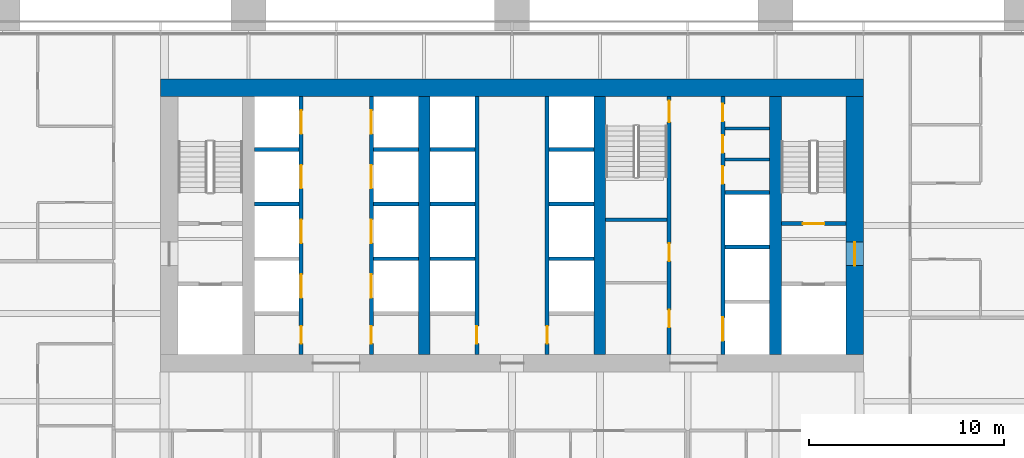
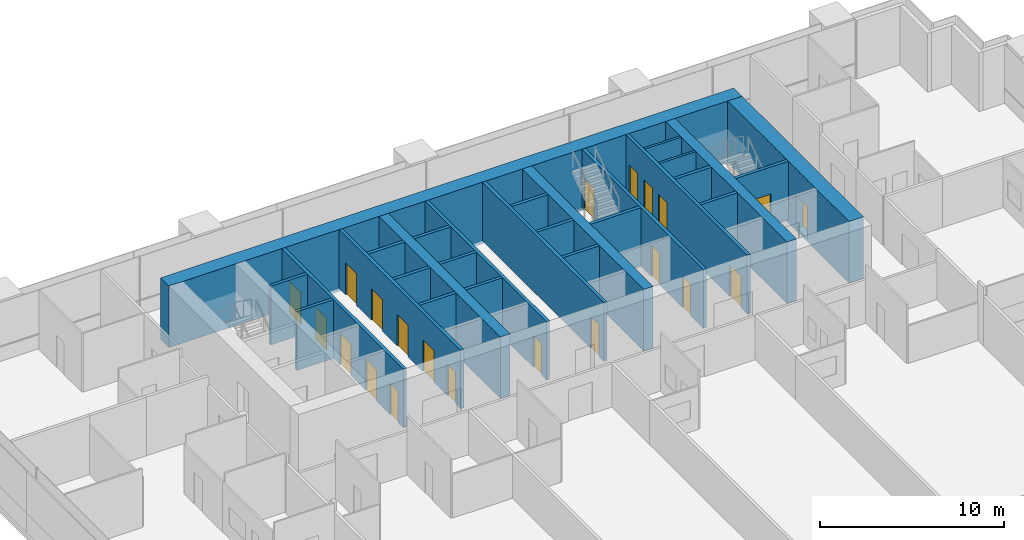
# One storey, part 14 of 20: 28 walls, 21 doors, 21 openings.
"""IFC4 building model written with IfcOpenShell, lengths in metres."""

from ifc_helpers import new_model, si_unit, direction, frame, frame_2d, origin, place, context, subcontext, project, spatial, rectangle, extrude, material, layer, layer_set, type_object, element, fill, save


model = new_model("IFC4")

# Units and contexts
model_context = context("Model", 3, precision=1e-05, world=origin(), true_north=direction((0.0, 1.0)))
body_context = subcontext(model_context, "Body", "Model", "MODEL_VIEW")
ifc_project = project(units=[si_unit("LENGTHUNIT", "METRE"), si_unit("AREAUNIT", "SQUARE_METRE"), si_unit("VOLUMEUNIT", "CUBIC_METRE"), si_unit("PLANEANGLEUNIT", "RADIAN"), si_unit("MASSUNIT", "GRAM", prefix="KILO")], contexts=[model_context])

# Site, building, storey
site_placement = place(None, origin())
site = spatial("IfcSite", under=ifc_project, at=site_placement, CompositionType="ELEMENT")
building_placement = place(site_placement, origin())
building = spatial("IfcBuilding", under=site, at=building_placement, Name="Rattan Terrace Tower", CompositionType="ELEMENT")
storey_placement = place(building_placement, frame((0.0, 0.0, 40.60009765625)))
storey = spatial("IfcBuildingStorey", under=building, at=storey_placement, Name="L08", CompositionType="ELEMENT", Elevation=40.60009765625)

# Walls
ifc_material_1 = material(Name="Gypsum board partition")
ifc_layer_1 = layer(ifc_material_1, 0.14990234375)
ifc_layer_set_1 = layer_set([ifc_layer_1], Name="Core partition 150")
wall_type_1 = type_object("IfcWallType", Name="Core partition 150", PredefinedType="PARTITIONING", material=ifc_layer_set_1)
for number, where, z_axis, x_axis, name in (
    (1, (10.89990234375, 3.384033203125, 0.0), (0.0, 0.0, 1.0), (1.0, 0.0, 0.0), "Riser room wall"),
    (2, (10.89990234375, 4.968017578125, 0.0), (0.0, 0.0, 1.0), (1.0, 0.0, 0.0), "Riser room wall"),
):
    element("IfcWall", number, at=place(storey_placement, frame(where, z_axis=z_axis, x_axis=x_axis)), inside=storey, type_object=wall_type_1, Name=name, PredefinedType="PARTITIONING", context=body_context, shape_type="SweptSolid", body=[
        extrude(rectangle(XDim=2.300048828125, YDim=0.14990234375, at=frame_2d((1.14990234375, 0.0))), origin(), (0.0, 0.0, 1.0), 3.89990234375),
    ])

# Wall, opening, door
ifc_material_2 = material(Name="Gypsum board partition")
ifc_layer_2 = layer(ifc_material_2, 0.199951171875)
ifc_layer_set_2 = layer_set([ifc_layer_2], Name="Core partition 200")
wall_type_2 = type_object("IfcWallType", Name="Core partition 200", PredefinedType="PARTITIONING", material=ifc_layer_set_2)
wall_1_placement = place(storey_placement, frame((13.800048828125, 0.10009765625, 0.0), z_axis=(0.0, 0.0, 1.0), x_axis=(1.0, 0.0, 0.0)))
wall_1 = element("IfcWall", 3, at=wall_1_placement, inside=storey, type_object=wall_type_2, Name="Stair enclosure wall", PredefinedType="PARTITIONING", context=body_context, shape_type="SweptSolid", body=[
    extrude(rectangle(XDim=3.300048828125, YDim=0.199951171875, at=frame_2d((1.64990234375, 0.0))), origin(), (0.0, 0.0, 1.0), 3.89990234375),
])
opening_1_placement = place(wall_1_placement, frame((1.10009765625, 0.0, 0.0)))
opening_1 = element("IfcOpeningElement", 4, at=opening_1_placement, cuts=wall_1, Name="Opening L08-D004", PredefinedType="OPENING", context=body_context, shape_type="SweptSolid", body=[
    extrude(rectangle(XDim=1.10009765625, YDim=2.10009765625, at=frame_2d((0.550048828125, 1.050048828125))), frame((0.0, 0.110595703125, 0.0), z_axis=(0.0, -1.0, 0.0), x_axis=(1.0, 0.0, 0.0)), (0.0, 0.0, 1.0), 0.220947265625),
])
ifc_material_3 = material(Name="Hollow-metal fire door leaf")
door_type_1 = type_object("IfcDoorType", Name="Core stair door 1100", OperationType="NOTDEFINED", PredefinedType="DOOR", material=ifc_material_3)
door_1_placement = place(opening_1_placement, origin())
door_1 = element("IfcDoor", 5, at=door_1_placement, inside=storey, type_object=door_type_1, Name="Door L08-D004", OperationType="SINGLE_SWING_LEFT", OverallHeight=2.10009765625, OverallWidth=1.10009765625, PredefinedType="DOOR", context=body_context, shape_type="SweptSolid", body=[
    extrude(rectangle(XDim=1.10009765625, YDim=2.10009765625, at=frame_2d((0.550048828125, 1.050048828125))), frame((0.0, 0.02490234375, 0.0), z_axis=(0.0, -1.0, 0.0), x_axis=(1.0, 0.0, 0.0)), (0.0, 0.0, 1.0), 0.050048828125),
])
fill(opening_1, door_1)

# Wall, openings, doors
wall_2_placement = place(storey_placement, frame((8.050048828125, -6.60009765625, 0.0), z_axis=(0.0, 0.0, 1.0), x_axis=(0.0, 1.0, 0.0)))
wall_2 = element("IfcWall", 6, at=wall_2_placement, inside=storey, type_object=wall_type_2, Name="Lobby wall west", PredefinedType="PARTITIONING", context=body_context, shape_type="SweptSolid", body=[
    extrude(rectangle(XDim=13.2001953125, YDim=0.199951171875, at=frame_2d((6.60009765625, 0.0))), origin(), (0.0, 0.0, 1.0), 3.89990234375),
])
opening_2_placement = place(wall_2_placement, frame((1.385986328125, 0.0, 0.0)))
opening_2 = element("IfcOpeningElement", 7, at=opening_2_placement, cuts=wall_2, Name="Opening L08-D011", PredefinedType="OPENING", context=body_context, shape_type="SweptSolid", body=[
    extrude(rectangle(XDim=0.89990234375, YDim=2.10009765625, at=frame_2d((0.449951171875, 1.050048828125))), frame((0.0, 0.110595703125, 0.0), z_axis=(0.0, -1.0, 0.0), x_axis=(1.0, 0.0, 0.0)), (0.0, 0.0, 1.0), 0.220947265625),
])
opening_3_placement = place(wall_2_placement, frame((4.785888671875, 0.0, 0.0)))
opening_3 = element("IfcOpeningElement", 8, at=opening_3_placement, cuts=wall_2, Name="Opening L08-D012", PredefinedType="OPENING", context=body_context, shape_type="SweptSolid", body=[
    extrude(rectangle(XDim=0.89990234375, YDim=2.10009765625, at=frame_2d((0.449951171875, 1.050048828125))), frame((0.0, 0.110595703125, 0.0), z_axis=(0.0, -1.0, 0.0), x_axis=(1.0, 0.0, 0.0)), (0.0, 0.0, 1.0), 0.220947265625),
])
opening_4_placement = place(wall_2_placement, frame((11.89990234375, 0.0, 0.0)))
opening_4 = element("IfcOpeningElement", 9, at=opening_4_placement, cuts=wall_2, Name="Opening L08-D013", PredefinedType="OPENING", context=body_context, shape_type="SweptSolid", body=[
    extrude(rectangle(XDim=1.10009765625, YDim=2.10009765625, at=frame_2d((0.550048828125, 1.050048828125))), frame((0.0, 0.110595703125, 0.0), z_axis=(0.0, -1.0, 0.0), x_axis=(1.0, 0.0, 0.0)), (0.0, 0.0, 1.0), 0.220947265625),
])
door_2_placement = place(opening_4_placement, origin())
door_2 = element("IfcDoor", 10, at=door_2_placement, inside=storey, type_object=door_type_1, Name="Door L08-D013", OperationType="SINGLE_SWING_LEFT", OverallHeight=2.10009765625, OverallWidth=1.10009765625, PredefinedType="DOOR", context=body_context, shape_type="SweptSolid", body=[
    extrude(rectangle(XDim=1.10009765625, YDim=2.10009765625, at=frame_2d((0.550048828125, 1.050048828125))), frame((0.0, 0.02490234375, 0.0), z_axis=(0.0, -1.0, 0.0), x_axis=(1.0, 0.0, 0.0)), (0.0, 0.0, 1.0), 0.050048828125),
])
fill(opening_4, door_2)
ifc_material_4 = material(Name="Hollow-metal fire door leaf")
door_type_2 = type_object("IfcDoorType", Name="Core toilet door 900", OperationType="NOTDEFINED", PredefinedType="DOOR", material=ifc_material_4)
door_3_placement = place(opening_2_placement, origin())
door_3 = element("IfcDoor", 11, at=door_3_placement, inside=storey, type_object=door_type_2, Name="Door L08-D011", OperationType="SINGLE_SWING_LEFT", OverallHeight=2.10009765625, OverallWidth=0.89990234375, PredefinedType="DOOR", context=body_context, shape_type="SweptSolid", body=[
    extrude(rectangle(XDim=0.89990234375, YDim=2.10009765625, at=frame_2d((0.449951171875, 1.050048828125))), frame((0.0, 0.02490234375, 0.0), z_axis=(0.0, -1.0, 0.0), x_axis=(1.0, 0.0, 0.0)), (0.0, 0.0, 1.0), 0.050048828125),
])
fill(opening_2, door_3)
door_4_placement = place(opening_3_placement, origin())
door_4 = element("IfcDoor", 12, at=door_4_placement, inside=storey, type_object=door_type_2, Name="Door L08-D012", OperationType="SINGLE_SWING_RIGHT", OverallHeight=2.10009765625, OverallWidth=0.89990234375, PredefinedType="DOOR", context=body_context, shape_type="SweptSolid", body=[
    extrude(rectangle(XDim=0.89990234375, YDim=2.10009765625, at=frame_2d((0.449951171875, 1.050048828125))), frame((0.0, 0.02490234375, 0.0), z_axis=(0.0, -1.0, 0.0), x_axis=(1.0, 0.0, 0.0)), (0.0, 0.0, 1.0), 0.050048828125),
])
fill(opening_3, door_4)

# Walls
wall_3_placement = place(storey_placement, frame((4.800048828125, 0.300048828125, 0.0), z_axis=(0.0, 0.0, 1.0), x_axis=(1.0, 0.0, 0.0)))
element("IfcWall", 13, at=wall_3_placement, inside=storey, type_object=wall_type_2, Name="Stair enclosure wall", PredefinedType="PARTITIONING", context=body_context, shape_type="SweptSolid", body=[
    extrude(rectangle(XDim=3.14990234375, YDim=0.199951171875, at=frame_2d((1.574951171875, 0.0))), origin(), (0.0, 0.0, 1.0), 3.89990234375),
])
ifc_material_5 = material(Name="Concrete C70/85", Category="concrete")
ifc_layer_3 = layer(ifc_material_5, 0.89990234375)
ifc_layer_set_3 = layer_set([ifc_layer_3], Name="Core ring wall 900 C70/85")
wall_type_3 = type_object("IfcWallType", Name="Core ring wall 900 C70/85", PredefinedType="SHEAR", material=ifc_layer_set_3)
wall_4_placement = place(storey_placement, frame((-18.0, 7.050048828125, -0.2001953125), z_axis=(0.0, 0.0, 1.0), x_axis=(1.0, 0.0, 0.0)))
element("IfcWall", 14, at=wall_4_placement, inside=storey, type_object=wall_type_3, Name="Rear core wall north", PredefinedType="SHEAR", context=body_context, shape_type="SweptSolid", body=[
    extrude(rectangle(XDim=36.0, YDim=0.89990234375, at=frame_2d((18.0, 0.0))), origin(), (0.0, 0.0, 1.0), 4.10009765625),
])

# Wall, opening, door
wall_5_placement = place(storey_placement, frame((17.550048828125, -6.60009765625, -0.2001953125), z_axis=(0.0, 0.0, 1.0), x_axis=(0.0, 1.0, 0.0)))
wall_5 = element("IfcWall", 15, at=wall_5_placement, inside=storey, type_object=wall_type_3, Name="Rear core wall east", PredefinedType="SHEAR", context=body_context, shape_type="SweptSolid", body=[
    extrude(rectangle(XDim=13.2001953125, YDim=0.89990234375, at=frame_2d((6.60009765625, 0.0))), origin(), (0.0, 0.0, 1.0), 4.10009765625),
])
opening_5_placement = place(wall_5_placement, frame((4.550048828125, 0.0, 0.199951171875)))
opening_5 = element("IfcOpeningElement", 16, at=opening_5_placement, cuts=wall_5, Name="Opening L08-D003", PredefinedType="OPENING", context=body_context, shape_type="SweptSolid", body=[
    extrude(rectangle(XDim=1.199951171875, YDim=2.10009765625, at=frame_2d((0.60009765625, 1.050048828125))), frame((0.0, 0.46044921875, 0.0), z_axis=(0.0, -1.0, 0.0), x_axis=(1.0, 0.0, 0.0)), (0.0, 0.0, 1.0), 0.9208984375),
])
ifc_material_6 = material(Name="Hollow-metal fire door leaf")
door_type_3 = type_object("IfcDoorType", Name="Core fire-fighting lobby door 1200", OperationType="NOTDEFINED", PredefinedType="DOOR", material=ifc_material_6)
door_5_placement = place(opening_5_placement, origin())
door_5 = element("IfcDoor", 17, at=door_5_placement, inside=storey, type_object=door_type_3, Name="Door L08-D003", OperationType="SINGLE_SWING_RIGHT", OverallHeight=2.10009765625, OverallWidth=1.199951171875, PredefinedType="DOOR", context=body_context, shape_type="SweptSolid", body=[
    extrude(rectangle(XDim=1.199951171875, YDim=2.10009765625, at=frame_2d((0.60009765625, 1.050048828125))), frame((0.0, 0.02490234375, 0.0), z_axis=(0.0, -1.0, 0.0), x_axis=(1.0, 0.0, 0.0)), (0.0, 0.0, 1.0), 0.050048828125),
])
fill(opening_5, door_5)

# Walls
ifc_material_7 = material(Name="Concrete C70/85", Category="concrete")
ifc_layer_4 = layer(ifc_material_7, 0.60009765625)
ifc_layer_set_4 = layer_set([ifc_layer_4], Name="Core spine wall 600 C70/85")
wall_type_4 = type_object("IfcWallType", Name="Core spine wall 600 C70/85", PredefinedType="SHEAR", material=ifc_layer_set_4)
for number, where, z_axis, x_axis, name in (
    (18, (-4.5, -6.60009765625, -0.2001953125), (0.0, 0.0, 1.0), (0.0, 1.0, 0.0), "Core spine wall 2"),
    (19, (4.5, -6.60009765625, -0.2001953125), (0.0, 0.0, 1.0), (0.0, 1.0, 0.0), "Core spine wall 3"),
    (20, (13.5, -6.60009765625, -0.2001953125), (0.0, 0.0, 1.0), (0.0, 1.0, 0.0), "Core spine wall 4"),
):
    element("IfcWall", number, at=place(storey_placement, frame(where, z_axis=z_axis, x_axis=x_axis)), inside=storey, type_object=wall_type_4, Name=name, PredefinedType="SHEAR", context=body_context, shape_type="SweptSolid", body=[
        extrude(rectangle(XDim=13.2001953125, YDim=0.60009765625, at=frame_2d((6.60009765625, 0.0))), origin(), (0.0, 0.0, 1.0), 4.10009765625),
    ])

# Wall, openings, doors
ifc_material_8 = material(Name="Gypsum shaft wall system")
ifc_layer_5 = layer(ifc_material_8, 0.199951171875)
ifc_layer_set_5 = layer_set([ifc_layer_5], Name="Lift shaft wall 200")
wall_type_5 = type_object("IfcWallType", Name="Lift shaft wall 200", PredefinedType="PARTITIONING", material=ifc_layer_set_5)
wall_6_placement = place(storey_placement, frame((-10.800048828125, -6.60009765625, 0.0), z_axis=(0.0, 0.0, 1.0), x_axis=(0.0, 1.0, 0.0)))
wall_6 = element("IfcWall", 21, at=wall_6_placement, inside=storey, type_object=wall_type_5, Name="Lift shaft front wall", PredefinedType="PARTITIONING", context=body_context, shape_type="SweptSolid", body=[
    extrude(rectangle(XDim=13.2001953125, YDim=0.199951171875, at=frame_2d((6.60009765625, 0.0))), origin(), (0.0, 0.0, 1.0), 3.89990234375),
])
opening_6_placement = place(wall_6_placement, frame((0.550048828125, 0.0, 0.0)))
opening_6 = element("IfcOpeningElement", 22, at=opening_6_placement, cuts=wall_6, Name="Opening L08-D005", PredefinedType="OPENING", context=body_context, shape_type="SweptSolid", body=[
    extrude(rectangle(XDim=0.89990234375, YDim=2.10009765625, at=frame_2d((0.449951171875, 1.050048828125))), frame((0.0, 0.110595703125, 0.0), z_axis=(0.0, -1.0, 0.0), x_axis=(1.0, 0.0, 0.0)), (0.0, 0.0, 1.0), 0.220947265625),
])
opening_7_placement = place(wall_6_placement, frame((2.89990234375, 0.0, 0.0)))
opening_7 = element("IfcOpeningElement", 23, at=opening_7_placement, cuts=wall_6, Name="Opening L08-LD-LR1", PredefinedType="OPENING", context=body_context, shape_type="SweptSolid", body=[
    extrude(rectangle(XDim=1.199951171875, YDim=2.10009765625, at=frame_2d((0.60009765625, 1.050048828125))), frame((0.0, 0.110595703125, 0.0), z_axis=(0.0, -1.0, 0.0), x_axis=(1.0, 0.0, 0.0)), (0.0, 0.0, 1.0), 0.220947265625),
])
opening_8_placement = place(wall_6_placement, frame((5.699951171875, 0.0, 0.0)))
opening_8 = element("IfcOpeningElement", 24, at=opening_8_placement, cuts=wall_6, Name="Opening L08-LD-LR2", PredefinedType="OPENING", context=body_context, shape_type="SweptSolid", body=[
    extrude(rectangle(XDim=1.199951171875, YDim=2.10009765625, at=frame_2d((0.60009765625, 1.050048828125))), frame((0.0, 0.110595703125, 0.0), z_axis=(0.0, -1.0, 0.0), x_axis=(1.0, 0.0, 0.0)), (0.0, 0.0, 1.0), 0.220947265625),
])
opening_9_placement = place(wall_6_placement, frame((8.5, 0.0, 0.0)))
opening_9 = element("IfcOpeningElement", 25, at=opening_9_placement, cuts=wall_6, Name="Opening L08-LD-LR3", PredefinedType="OPENING", context=body_context, shape_type="SweptSolid", body=[
    extrude(rectangle(XDim=1.199951171875, YDim=2.10009765625, at=frame_2d((0.60009765625, 1.050048828125))), frame((0.0, 0.110595703125, 0.0), z_axis=(0.0, -1.0, 0.0), x_axis=(1.0, 0.0, 0.0)), (0.0, 0.0, 1.0), 0.220947265625),
])
opening_10_placement = place(wall_6_placement, frame((11.300048828125, 0.0, 0.0)))
opening_10 = element("IfcOpeningElement", 26, at=opening_10_placement, cuts=wall_6, Name="Opening L08-LD-LR4", PredefinedType="OPENING", context=body_context, shape_type="SweptSolid", body=[
    extrude(rectangle(XDim=1.199951171875, YDim=2.10009765625, at=frame_2d((0.60009765625, 1.050048828125))), frame((0.0, 0.110595703125, 0.0), z_axis=(0.0, -1.0, 0.0), x_axis=(1.0, 0.0, 0.0)), (0.0, 0.0, 1.0), 0.220947265625),
])
ifc_material_9 = material(Name="Brushed stainless landing door panel")
door_type_4 = type_object("IfcDoorType", Name="Core lift landing door 1200", OperationType="DOUBLE_DOOR_SLIDING", PredefinedType="DOOR", material=ifc_material_9)
door_6_placement = place(opening_7_placement, origin())
door_6 = element("IfcDoor", 27, at=door_6_placement, inside=storey, type_object=door_type_4, Name="Door L08-LD-LR1", OperationType="DOUBLE_DOOR_SLIDING", OverallHeight=2.10009765625, OverallWidth=1.199951171875, PredefinedType="DOOR", context=body_context, shape_type="SweptSolid", body=[
    extrude(rectangle(XDim=1.199951171875, YDim=2.10009765625, at=frame_2d((0.60009765625, 1.050048828125))), frame((0.0, 0.02490234375, 0.0), z_axis=(0.0, -1.0, 0.0), x_axis=(1.0, 0.0, 0.0)), (0.0, 0.0, 1.0), 0.050048828125),
])
fill(opening_7, door_6)
door_7_placement = place(opening_8_placement, origin())
door_7 = element("IfcDoor", 28, at=door_7_placement, inside=storey, type_object=door_type_4, Name="Door L08-LD-LR2", OperationType="DOUBLE_DOOR_SLIDING", OverallHeight=2.10009765625, OverallWidth=1.199951171875, PredefinedType="DOOR", context=body_context, shape_type="SweptSolid", body=[
    extrude(rectangle(XDim=1.199951171875, YDim=2.10009765625, at=frame_2d((0.60009765625, 1.050048828125))), frame((0.0, 0.02490234375, 0.0), z_axis=(0.0, -1.0, 0.0), x_axis=(1.0, 0.0, 0.0)), (0.0, 0.0, 1.0), 0.050048828125),
])
fill(opening_8, door_7)
door_8_placement = place(opening_9_placement, origin())
door_8 = element("IfcDoor", 29, at=door_8_placement, inside=storey, type_object=door_type_4, Name="Door L08-LD-LR3", OperationType="DOUBLE_DOOR_SLIDING", OverallHeight=2.10009765625, OverallWidth=1.199951171875, PredefinedType="DOOR", context=body_context, shape_type="SweptSolid", body=[
    extrude(rectangle(XDim=1.199951171875, YDim=2.10009765625, at=frame_2d((0.60009765625, 1.050048828125))), frame((0.0, 0.02490234375, 0.0), z_axis=(0.0, -1.0, 0.0), x_axis=(1.0, 0.0, 0.0)), (0.0, 0.0, 1.0), 0.050048828125),
])
fill(opening_9, door_8)
door_9_placement = place(opening_10_placement, origin())
door_9 = element("IfcDoor", 30, at=door_9_placement, inside=storey, type_object=door_type_4, Name="Door L08-LD-LR4", OperationType="DOUBLE_DOOR_SLIDING", OverallHeight=2.10009765625, OverallWidth=1.199951171875, PredefinedType="DOOR", context=body_context, shape_type="SweptSolid", body=[
    extrude(rectangle(XDim=1.199951171875, YDim=2.10009765625, at=frame_2d((0.60009765625, 1.050048828125))), frame((0.0, 0.02490234375, 0.0), z_axis=(0.0, -1.0, 0.0), x_axis=(1.0, 0.0, 0.0)), (0.0, 0.0, 1.0), 0.050048828125),
])
fill(opening_10, door_9)
ifc_material_10 = material(Name="Hollow-metal fire door leaf")
door_type_5 = type_object("IfcDoorType", Name="Core riser door 900", OperationType="NOTDEFINED", PredefinedType="DOOR", material=ifc_material_10)
door_10_placement = place(opening_6_placement, origin())
door_10 = element("IfcDoor", 31, at=door_10_placement, inside=storey, type_object=door_type_5, Name="Door L08-D005", OperationType="SINGLE_SWING_RIGHT", OverallHeight=2.10009765625, OverallWidth=0.89990234375, PredefinedType="DOOR", context=body_context, shape_type="SweptSolid", body=[
    extrude(rectangle(XDim=0.89990234375, YDim=2.10009765625, at=frame_2d((0.449951171875, 1.050048828125))), frame((0.0, 0.02490234375, 0.0), z_axis=(0.0, -1.0, 0.0), x_axis=(1.0, 0.0, 0.0)), (0.0, 0.0, 1.0), 0.050048828125),
])
fill(opening_6, door_10)

wall_7_placement = place(storey_placement, frame((-7.199951171875, -6.60009765625, 0.0), z_axis=(0.0, 0.0, 1.0), x_axis=(0.0, 1.0, 0.0)))
wall_7 = element("IfcWall", 32, at=wall_7_placement, inside=storey, type_object=wall_type_5, Name="Lift shaft front wall", PredefinedType="PARTITIONING", context=body_context, shape_type="SweptSolid", body=[
    extrude(rectangle(XDim=13.2001953125, YDim=0.199951171875, at=frame_2d((6.60009765625, 0.0))), origin(), (0.0, 0.0, 1.0), 3.89990234375),
])
opening_11_placement = place(wall_7_placement, frame((0.550048828125, 0.0, 0.0)))
opening_11 = element("IfcOpeningElement", 33, at=opening_11_placement, cuts=wall_7, Name="Opening L08-D006", PredefinedType="OPENING", context=body_context, shape_type="SweptSolid", body=[
    extrude(rectangle(XDim=0.89990234375, YDim=2.10009765625, at=frame_2d((0.449951171875, 1.050048828125))), frame((0.0, 0.110595703125, 0.0), z_axis=(0.0, -1.0, 0.0), x_axis=(1.0, 0.0, 0.0)), (0.0, 0.0, 1.0), 0.220947265625),
])
opening_12_placement = place(wall_7_placement, frame((2.89990234375, 0.0, 0.0)))
opening_12 = element("IfcOpeningElement", 34, at=opening_12_placement, cuts=wall_7, Name="Opening L08-LD-LR5", PredefinedType="OPENING", context=body_context, shape_type="SweptSolid", body=[
    extrude(rectangle(XDim=1.199951171875, YDim=2.10009765625, at=frame_2d((0.60009765625, 1.050048828125))), frame((0.0, 0.110595703125, 0.0), z_axis=(0.0, -1.0, 0.0), x_axis=(1.0, 0.0, 0.0)), (0.0, 0.0, 1.0), 0.220947265625),
])
opening_13_placement = place(wall_7_placement, frame((5.699951171875, 0.0, 0.0)))
opening_13 = element("IfcOpeningElement", 35, at=opening_13_placement, cuts=wall_7, Name="Opening L08-LD-LR6", PredefinedType="OPENING", context=body_context, shape_type="SweptSolid", body=[
    extrude(rectangle(XDim=1.199951171875, YDim=2.10009765625, at=frame_2d((0.60009765625, 1.050048828125))), frame((0.0, 0.110595703125, 0.0), z_axis=(0.0, -1.0, 0.0), x_axis=(1.0, 0.0, 0.0)), (0.0, 0.0, 1.0), 0.220947265625),
])
opening_14_placement = place(wall_7_placement, frame((8.5, 0.0, 0.0)))
opening_14 = element("IfcOpeningElement", 36, at=opening_14_placement, cuts=wall_7, Name="Opening L08-LD-LR7", PredefinedType="OPENING", context=body_context, shape_type="SweptSolid", body=[
    extrude(rectangle(XDim=1.199951171875, YDim=2.10009765625, at=frame_2d((0.60009765625, 1.050048828125))), frame((0.0, 0.110595703125, 0.0), z_axis=(0.0, -1.0, 0.0), x_axis=(1.0, 0.0, 0.0)), (0.0, 0.0, 1.0), 0.220947265625),
])
opening_15_placement = place(wall_7_placement, frame((11.300048828125, 0.0, 0.0)))
opening_15 = element("IfcOpeningElement", 37, at=opening_15_placement, cuts=wall_7, Name="Opening L08-LD-LR8", PredefinedType="OPENING", context=body_context, shape_type="SweptSolid", body=[
    extrude(rectangle(XDim=1.199951171875, YDim=2.10009765625, at=frame_2d((0.60009765625, 1.050048828125))), frame((0.0, 0.110595703125, 0.0), z_axis=(0.0, -1.0, 0.0), x_axis=(1.0, 0.0, 0.0)), (0.0, 0.0, 1.0), 0.220947265625),
])
door_11_placement = place(opening_12_placement, origin())
door_11 = element("IfcDoor", 38, at=door_11_placement, inside=storey, type_object=door_type_4, Name="Door L08-LD-LR5", OperationType="DOUBLE_DOOR_SLIDING", OverallHeight=2.10009765625, OverallWidth=1.199951171875, PredefinedType="DOOR", context=body_context, shape_type="SweptSolid", body=[
    extrude(rectangle(XDim=1.199951171875, YDim=2.10009765625, at=frame_2d((0.60009765625, 1.050048828125))), frame((0.0, 0.02490234375, 0.0), z_axis=(0.0, -1.0, 0.0), x_axis=(1.0, 0.0, 0.0)), (0.0, 0.0, 1.0), 0.050048828125),
])
fill(opening_12, door_11)
door_12_placement = place(opening_13_placement, origin())
door_12 = element("IfcDoor", 39, at=door_12_placement, inside=storey, type_object=door_type_4, Name="Door L08-LD-LR6", OperationType="DOUBLE_DOOR_SLIDING", OverallHeight=2.10009765625, OverallWidth=1.199951171875, PredefinedType="DOOR", context=body_context, shape_type="SweptSolid", body=[
    extrude(rectangle(XDim=1.199951171875, YDim=2.10009765625, at=frame_2d((0.60009765625, 1.050048828125))), frame((0.0, 0.02490234375, 0.0), z_axis=(0.0, -1.0, 0.0), x_axis=(1.0, 0.0, 0.0)), (0.0, 0.0, 1.0), 0.050048828125),
])
fill(opening_13, door_12)
door_13_placement = place(opening_14_placement, origin())
door_13 = element("IfcDoor", 40, at=door_13_placement, inside=storey, type_object=door_type_4, Name="Door L08-LD-LR7", OperationType="DOUBLE_DOOR_SLIDING", OverallHeight=2.10009765625, OverallWidth=1.199951171875, PredefinedType="DOOR", context=body_context, shape_type="SweptSolid", body=[
    extrude(rectangle(XDim=1.199951171875, YDim=2.10009765625, at=frame_2d((0.60009765625, 1.050048828125))), frame((0.0, 0.02490234375, 0.0), z_axis=(0.0, -1.0, 0.0), x_axis=(1.0, 0.0, 0.0)), (0.0, 0.0, 1.0), 0.050048828125),
])
fill(opening_14, door_13)
door_14_placement = place(opening_15_placement, origin())
door_14 = element("IfcDoor", 41, at=door_14_placement, inside=storey, type_object=door_type_4, Name="Door L08-LD-LR8", OperationType="DOUBLE_DOOR_SLIDING", OverallHeight=2.10009765625, OverallWidth=1.199951171875, PredefinedType="DOOR", context=body_context, shape_type="SweptSolid", body=[
    extrude(rectangle(XDim=1.199951171875, YDim=2.10009765625, at=frame_2d((0.60009765625, 1.050048828125))), frame((0.0, 0.02490234375, 0.0), z_axis=(0.0, -1.0, 0.0), x_axis=(1.0, 0.0, 0.0)), (0.0, 0.0, 1.0), 0.050048828125),
])
fill(opening_15, door_14)
door_15_placement = place(opening_11_placement, origin())
door_15 = element("IfcDoor", 42, at=door_15_placement, inside=storey, type_object=door_type_5, Name="Door L08-D006", OperationType="SINGLE_SWING_LEFT", OverallHeight=2.10009765625, OverallWidth=0.89990234375, PredefinedType="DOOR", context=body_context, shape_type="SweptSolid", body=[
    extrude(rectangle(XDim=0.89990234375, YDim=2.10009765625, at=frame_2d((0.449951171875, 1.050048828125))), frame((0.0, 0.02490234375, 0.0), z_axis=(0.0, -1.0, 0.0), x_axis=(1.0, 0.0, 0.0)), (0.0, 0.0, 1.0), 0.050048828125),
])
fill(opening_11, door_15)

# Walls
for number, where, z_axis, x_axis, name in (
    (43, (-13.199951171875, 1.10009765625, 0.0), (0.0, 0.0, 1.0), (1.0, 0.0, 0.0), "Lift shaft wall"),
    (44, (-13.199951171875, 3.89990234375, 0.0), (0.0, 0.0, 1.0), (1.0, 0.0, 0.0), "Lift shaft wall"),
    (45, (-7.10009765625, -1.699951171875, 0.0), (0.0, 0.0, 1.0), (1.0, 0.0, 0.0), "Lift shaft wall"),
    (46, (-7.10009765625, 1.10009765625, 0.0), (0.0, 0.0, 1.0), (1.0, 0.0, 0.0), "Lift shaft wall"),
    (47, (-7.10009765625, 3.89990234375, 0.0), (0.0, 0.0, 1.0), (1.0, 0.0, 0.0), "Lift shaft wall"),
):
    element("IfcWall", number, at=place(storey_placement, frame(where, z_axis=z_axis, x_axis=x_axis)), inside=storey, type_object=wall_type_5, Name=name, PredefinedType="PARTITIONING", context=body_context, shape_type="SweptSolid", body=[
        extrude(rectangle(XDim=2.300048828125, YDim=0.199951171875, at=frame_2d((1.14990234375, 0.0))), origin(), (0.0, 0.0, 1.0), 3.89990234375),
    ])

# Wall, opening, door
wall_8_placement = place(storey_placement, frame((-1.800048828125, -6.60009765625, 0.0), z_axis=(0.0, 0.0, 1.0), x_axis=(0.0, 1.0, 0.0)))
wall_8 = element("IfcWall", 48, at=wall_8_placement, inside=storey, type_object=wall_type_5, Name="Lift shaft front wall", PredefinedType="PARTITIONING", context=body_context, shape_type="SweptSolid", body=[
    extrude(rectangle(XDim=13.2001953125, YDim=0.199951171875, at=frame_2d((6.60009765625, 0.0))), origin(), (0.0, 0.0, 1.0), 3.89990234375),
])
opening_16_placement = place(wall_8_placement, frame((0.550048828125, 0.0, 0.0)))
opening_16 = element("IfcOpeningElement", 49, at=opening_16_placement, cuts=wall_8, Name="Opening L08-D008", PredefinedType="OPENING", context=body_context, shape_type="SweptSolid", body=[
    extrude(rectangle(XDim=0.89990234375, YDim=2.10009765625, at=frame_2d((0.449951171875, 1.050048828125))), frame((0.0, 0.110595703125, 0.0), z_axis=(0.0, -1.0, 0.0), x_axis=(1.0, 0.0, 0.0)), (0.0, 0.0, 1.0), 0.220947265625),
])
door_16_placement = place(opening_16_placement, origin())
door_16 = element("IfcDoor", 50, at=door_16_placement, inside=storey, type_object=door_type_5, Name="Door L08-D008", OperationType="SINGLE_SWING_RIGHT", OverallHeight=2.10009765625, OverallWidth=0.89990234375, PredefinedType="DOOR", context=body_context, shape_type="SweptSolid", body=[
    extrude(rectangle(XDim=0.89990234375, YDim=2.10009765625, at=frame_2d((0.449951171875, 1.050048828125))), frame((0.0, 0.02490234375, 0.0), z_axis=(0.0, -1.0, 0.0), x_axis=(1.0, 0.0, 0.0)), (0.0, 0.0, 1.0), 0.050048828125),
])
fill(opening_16, door_16)

wall_9_placement = place(storey_placement, frame((1.800048828125, -6.60009765625, 0.0), z_axis=(0.0, 0.0, 1.0), x_axis=(0.0, 1.0, 0.0)))
wall_9 = element("IfcWall", 51, at=wall_9_placement, inside=storey, type_object=wall_type_5, Name="Lift shaft front wall", PredefinedType="PARTITIONING", context=body_context, shape_type="SweptSolid", body=[
    extrude(rectangle(XDim=13.2001953125, YDim=0.199951171875, at=frame_2d((6.60009765625, 0.0))), origin(), (0.0, 0.0, 1.0), 3.89990234375),
])
opening_17_placement = place(wall_9_placement, frame((0.550048828125, 0.0, 0.0)))
opening_17 = element("IfcOpeningElement", 52, at=opening_17_placement, cuts=wall_9, Name="Opening L08-D009", PredefinedType="OPENING", context=body_context, shape_type="SweptSolid", body=[
    extrude(rectangle(XDim=0.89990234375, YDim=2.10009765625, at=frame_2d((0.449951171875, 1.050048828125))), frame((0.0, 0.110595703125, 0.0), z_axis=(0.0, -1.0, 0.0), x_axis=(1.0, 0.0, 0.0)), (0.0, 0.0, 1.0), 0.220947265625),
])
door_17_placement = place(opening_17_placement, origin())
door_17 = element("IfcDoor", 53, at=door_17_placement, inside=storey, type_object=door_type_5, Name="Door L08-D009", OperationType="SINGLE_SWING_LEFT", OverallHeight=2.10009765625, OverallWidth=0.89990234375, PredefinedType="DOOR", context=body_context, shape_type="SweptSolid", body=[
    extrude(rectangle(XDim=0.89990234375, YDim=2.10009765625, at=frame_2d((0.449951171875, 1.050048828125))), frame((0.0, 0.02490234375, 0.0), z_axis=(0.0, -1.0, 0.0), x_axis=(1.0, 0.0, 0.0)), (0.0, 0.0, 1.0), 0.050048828125),
])
fill(opening_17, door_17)

# Walls
for number, where, z_axis, x_axis, name in (
    (54, (-4.199951171875, -1.699951171875, 0.0), (0.0, 0.0, 1.0), (1.0, 0.0, 0.0), "Lift shaft wall"),
    (55, (-4.199951171875, 1.10009765625, 0.0), (0.0, 0.0, 1.0), (1.0, 0.0, 0.0), "Lift shaft wall"),
    (56, (-4.199951171875, 3.89990234375, 0.0), (0.0, 0.0, 1.0), (1.0, 0.0, 0.0), "Lift shaft wall"),
    (57, (1.89990234375, -1.699951171875, 0.0), (0.0, 0.0, 1.0), (1.0, 0.0, 0.0), "Lift shaft wall"),
    (58, (1.89990234375, 1.10009765625, 0.0), (0.0, 0.0, 1.0), (1.0, 0.0, 0.0), "Lift shaft wall"),
    (59, (1.89990234375, 3.89990234375, 0.0), (0.0, 0.0, 1.0), (1.0, 0.0, 0.0), "Lift shaft wall"),
):
    element("IfcWall", number, at=place(storey_placement, frame(where, z_axis=z_axis, x_axis=x_axis)), inside=storey, type_object=wall_type_5, Name=name, PredefinedType="PARTITIONING", context=body_context, shape_type="SweptSolid", body=[
        extrude(rectangle(XDim=2.300048828125, YDim=0.199951171875, at=frame_2d((1.14990234375, 0.0))), origin(), (0.0, 0.0, 1.0), 3.89990234375),
    ])

# Wall, openings, doors
wall_10_placement = place(storey_placement, frame((10.800048828125, -6.60009765625, 0.0), z_axis=(0.0, 0.0, 1.0), x_axis=(0.0, 1.0, 0.0)))
wall_10 = element("IfcWall", 60, at=wall_10_placement, inside=storey, type_object=wall_type_5, Name="Lift shaft front wall", PredefinedType="PARTITIONING", context=body_context, shape_type="SweptSolid", body=[
    extrude(rectangle(XDim=13.2001953125, YDim=0.199951171875, at=frame_2d((6.60009765625, 0.0))), origin(), (0.0, 0.0, 1.0), 3.89990234375),
])
opening_18_placement = place(wall_10_placement, frame((0.699951171875, 0.0, 0.0)))
opening_18 = element("IfcOpeningElement", 61, at=opening_18_placement, cuts=wall_10, Name="Opening L08-LD-SV1", PredefinedType="OPENING", context=body_context, shape_type="SweptSolid", body=[
    extrude(rectangle(XDim=1.199951171875, YDim=2.10009765625, at=frame_2d((0.60009765625, 1.050048828125))), frame((0.0, 0.110595703125, 0.0), z_axis=(0.0, -1.0, 0.0), x_axis=(1.0, 0.0, 0.0)), (0.0, 0.0, 1.0), 0.220947265625),
])
opening_19_placement = place(wall_10_placement, frame((8.741943359375, 0.0, 0.0)))
opening_19 = element("IfcOpeningElement", 62, at=opening_19_placement, cuts=wall_10, Name="Opening L08-D015", PredefinedType="OPENING", context=body_context, shape_type="SweptSolid", body=[
    extrude(rectangle(XDim=0.89990234375, YDim=2.10009765625, at=frame_2d((0.449951171875, 1.050048828125))), frame((0.0, 0.110595703125, 0.0), z_axis=(0.0, -1.0, 0.0), x_axis=(1.0, 0.0, 0.0)), (0.0, 0.0, 1.0), 0.220947265625),
])
opening_20_placement = place(wall_10_placement, frame((10.325927734375, 0.0, 0.0)))
opening_20 = element("IfcOpeningElement", 63, at=opening_20_placement, cuts=wall_10, Name="Opening L08-D016", PredefinedType="OPENING", context=body_context, shape_type="SweptSolid", body=[
    extrude(rectangle(XDim=0.89990234375, YDim=2.10009765625, at=frame_2d((0.449951171875, 1.050048828125))), frame((0.0, 0.110595703125, 0.0), z_axis=(0.0, -1.0, 0.0), x_axis=(1.0, 0.0, 0.0)), (0.0, 0.0, 1.0), 0.220947265625),
])
opening_21_placement = place(wall_10_placement, frame((11.93408203125, 0.0, 0.0)))
opening_21 = element("IfcOpeningElement", 64, at=opening_21_placement, cuts=wall_10, Name="Opening L08-D017", PredefinedType="OPENING", context=body_context, shape_type="SweptSolid", body=[
    extrude(rectangle(XDim=0.89990234375, YDim=2.10009765625, at=frame_2d((0.449951171875, 1.050048828125))), frame((0.0, 0.110595703125, 0.0), z_axis=(0.0, -1.0, 0.0), x_axis=(1.0, 0.0, 0.0)), (0.0, 0.0, 1.0), 0.220947265625),
])
door_18_placement = place(opening_18_placement, origin())
door_18 = element("IfcDoor", 65, at=door_18_placement, inside=storey, type_object=door_type_4, Name="Door L08-LD-SV1", OperationType="DOUBLE_DOOR_SLIDING", OverallHeight=2.10009765625, OverallWidth=1.199951171875, PredefinedType="DOOR", context=body_context, shape_type="SweptSolid", body=[
    extrude(rectangle(XDim=1.199951171875, YDim=2.10009765625, at=frame_2d((0.60009765625, 1.050048828125))), frame((0.0, 0.02490234375, 0.0), z_axis=(0.0, -1.0, 0.0), x_axis=(1.0, 0.0, 0.0)), (0.0, 0.0, 1.0), 0.050048828125),
])
fill(opening_18, door_18)
door_19_placement = place(opening_19_placement, origin())
door_19 = element("IfcDoor", 66, at=door_19_placement, inside=storey, type_object=door_type_5, Name="Door L08-D015", OperationType="SINGLE_SWING_RIGHT", OverallHeight=2.10009765625, OverallWidth=0.89990234375, PredefinedType="DOOR", context=body_context, shape_type="SweptSolid", body=[
    extrude(rectangle(XDim=0.89990234375, YDim=2.10009765625, at=frame_2d((0.449951171875, 1.050048828125))), frame((0.0, 0.02490234375, 0.0), z_axis=(0.0, -1.0, 0.0), x_axis=(1.0, 0.0, 0.0)), (0.0, 0.0, 1.0), 0.050048828125),
])
fill(opening_19, door_19)
door_20_placement = place(opening_20_placement, origin())
door_20 = element("IfcDoor", 67, at=door_20_placement, inside=storey, type_object=door_type_5, Name="Door L08-D016", OperationType="SINGLE_SWING_LEFT", OverallHeight=2.10009765625, OverallWidth=0.89990234375, PredefinedType="DOOR", context=body_context, shape_type="SweptSolid", body=[
    extrude(rectangle(XDim=0.89990234375, YDim=2.10009765625, at=frame_2d((0.449951171875, 1.050048828125))), frame((0.0, 0.02490234375, 0.0), z_axis=(0.0, -1.0, 0.0), x_axis=(1.0, 0.0, 0.0)), (0.0, 0.0, 1.0), 0.050048828125),
])
fill(opening_20, door_20)
ifc_material_11 = material(Name="Hollow-metal fire door leaf")
door_type_6 = type_object("IfcDoorType", Name="Core service room door 900", OperationType="NOTDEFINED", PredefinedType="DOOR", material=ifc_material_11)
door_21_placement = place(opening_21_placement, origin())
door_21 = element("IfcDoor", 68, at=door_21_placement, inside=storey, type_object=door_type_6, Name="Door L08-D017", OperationType="SINGLE_SWING_RIGHT", OverallHeight=2.10009765625, OverallWidth=0.89990234375, PredefinedType="DOOR", context=body_context, shape_type="SweptSolid", body=[
    extrude(rectangle(XDim=0.89990234375, YDim=2.10009765625, at=frame_2d((0.449951171875, 1.050048828125))), frame((0.0, 0.02490234375, 0.0), z_axis=(0.0, -1.0, 0.0), x_axis=(1.0, 0.0, 0.0)), (0.0, 0.0, 1.0), 0.050048828125),
])
fill(opening_21, door_21)

# Walls
for number, where, z_axis, x_axis, name in (
    (69, (10.89990234375, -1.10009765625, 0.0), (0.0, 0.0, 1.0), (1.0, 0.0, 0.0), "Lift shaft wall"),
    (70, (10.89990234375, 1.699951171875, 0.0), (0.0, 0.0, 1.0), (1.0, 0.0, 0.0), "Lift shaft wall"),
):
    element("IfcWall", number, at=place(storey_placement, frame(where, z_axis=z_axis, x_axis=x_axis)), inside=storey, type_object=wall_type_5, Name=name, PredefinedType="PARTITIONING", context=body_context, shape_type="SweptSolid", body=[
        extrude(rectangle(XDim=2.300048828125, YDim=0.199951171875, at=frame_2d((1.14990234375, 0.0))), origin(), (0.0, 0.0, 1.0), 3.89990234375),
    ])

save(model, "model.ifc")
